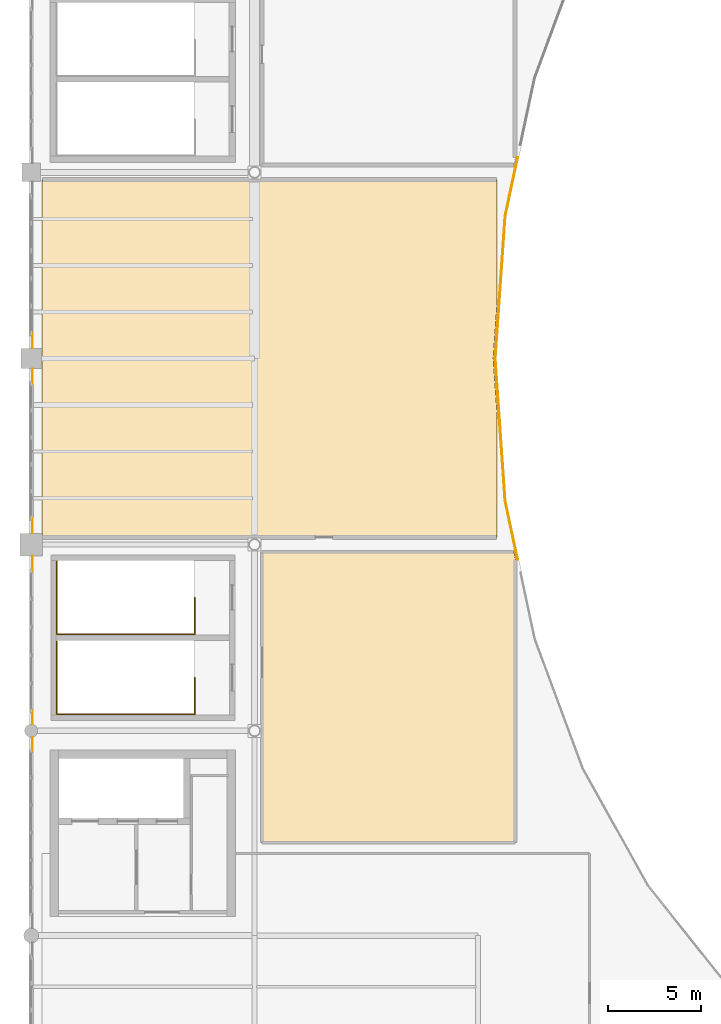
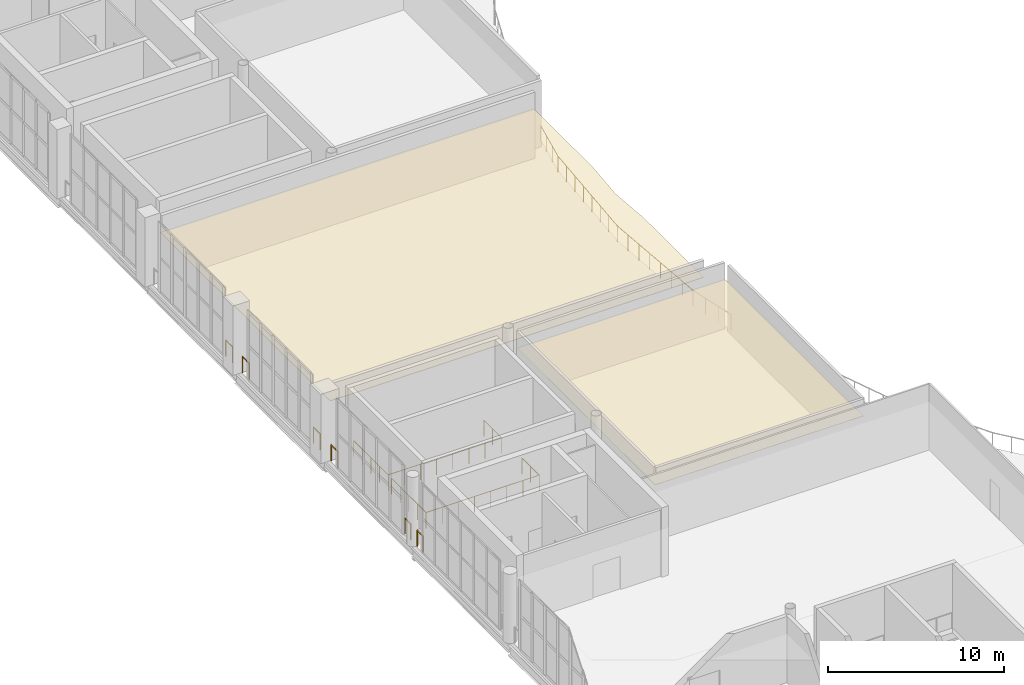
# One storey, part 44 of 49: 9 railings, 2 coverings.
"""IFC4 building model written with IfcOpenShell, lengths in metres."""

import ifcopenshell
import ifcopenshell.guid

model = None  # the IFC model being written
_history = None  # IfcOwnerHistory: only IFC2X3 demands one
_inside = {}  # id of a spatial element -> (the spatial element, [elements in it])
_under = {}  # id of a project, library or spatial element -> (it, [spatial elements below it])
_declared = {}  # id of a project -> (the project, [libraries it declares])
_typed = {}  # id of a type object -> (the type object, [elements of that type])
_made_of = {}  # id of a material, layer set ... -> (it, [elements and type objects made of it])


def new_model(schema):
    """Start an empty IFC model of exactly this schema.

    Asked for "IFC4X3", IfcOpenShell would pick the latest addendum, in which some entities
    have other attributes; the version numbers below select the first issue.
    IFC2X3 requires an IfcOwnerHistory on every rooted entity: one is made here for all.
    """
    global model, _history
    if schema == "IFC4X3":
        model = ifcopenshell.file(schema_version=(4, 3, 0, 0))
    else:
        model = ifcopenshell.file(schema=schema)
    _inside.clear()
    _under.clear()
    _declared.clear()
    _typed.clear()
    _made_of.clear()
    _history = None
    if model.schema == "IFC2X3":
        org = make("IfcOrganization", Name="unknown")
        user = make(
            "IfcPersonAndOrganization",
            ThePerson=make("IfcPerson", FamilyName="unknown"),
            TheOrganization=org,
        )
        app = make(
            "IfcApplication",
            ApplicationDeveloper=org,
            Version="unknown",
            ApplicationFullName="unknown",
            ApplicationIdentifier="unknown",
        )
        _history = make(
            "IfcOwnerHistory",
            OwningUser=user,
            OwningApplication=app,
            ChangeAction="ADDED",
            CreationDate=0,
        )
    return model


def make(cls, **values):
    """One entity of the class cls with the attributes given. An attribute that is None is left unset."""
    return model.create_entity(
        cls, **{name: value for name, value in values.items() if value is not None}
    )


def rooted(cls, **values):
    """An entity with a GlobalId (a new one), such as an element, a storey or a relation."""
    return make(cls, GlobalId=ifcopenshell.guid.new(), OwnerHistory=_history, **values)


def si_unit(unit_type, name, prefix=None):
    """IfcSIUnit, for example si_unit("LENGTHUNIT", "METRE", prefix="MILLI")."""
    return make("IfcSIUnit", UnitType=unit_type, Prefix=prefix, Name=name)


def assignment(units):
    """IfcUnitAssignment: the units of a project."""
    return None if units is None else make("IfcUnitAssignment", Units=units)


def point(xyz):
    """IfcCartesianPoint."""
    return None if xyz is None else make("IfcCartesianPoint", Coordinates=xyz)


def direction(xyz):
    """IfcDirection."""
    return None if xyz is None else make("IfcDirection", DirectionRatios=xyz)


def frame(location, z_axis=None, x_axis=None):
    """IfcAxis2Placement3D, a coordinate frame: its origin and axes. An axis left out is left unset."""
    return make(
        "IfcAxis2Placement3D",
        Location=point(location),
        Axis=direction(z_axis),
        RefDirection=direction(x_axis),
    )


def frame_2d(location, x_axis=None):
    """IfcAxis2Placement2D, a coordinate frame in the plane: its origin and x axis."""
    return make(
        "IfcAxis2Placement2D", Location=point(location), RefDirection=direction(x_axis)
    )


def origin():
    """The frame at (0, 0, 0) with its axes left unset."""
    return frame((0.0, 0.0, 0.0))


def origin_2d():
    """The frame at (0, 0) in the plane with its x axis left unset."""
    return frame_2d((0.0, 0.0))


def place(relative_to, where):
    """IfcLocalPlacement: puts the frame where relative to a parent placement (None: the world)."""
    return make(
        "IfcLocalPlacement", PlacementRelTo=relative_to, RelativePlacement=where
    )


def context(
    kind, dimensions, precision=None, world=None, true_north=None, identifier=None
):
    """IfcGeometricRepresentationContext, for example the 3D "Model" context."""
    return make(
        "IfcGeometricRepresentationContext",
        ContextIdentifier=identifier,
        ContextType=kind,
        CoordinateSpaceDimension=dimensions,
        Precision=precision,
        WorldCoordinateSystem=world,
        TrueNorth=true_north,
    )


def subcontext(parent, identifier, kind, view, scale=None):
    """IfcGeometricRepresentationSubContext, for example "Body" below "Model"."""
    return make(
        "IfcGeometricRepresentationSubContext",
        ContextIdentifier=identifier,
        ContextType=kind,
        ParentContext=parent,
        TargetScale=scale,
        TargetView=view,
    )


def project(units=None, contexts=None):
    """IfcProject with its units and contexts."""
    return rooted(
        "IfcProject",
        Name="project",
        RepresentationContexts=contexts,
        UnitsInContext=assignment(units),
    )


def spatial(cls, under=None, at=None, **own):
    """A site, building, storey or space (cls), placed at a placement, below another one or the project."""
    s = rooted(cls, ObjectPlacement=at, **own)
    if under is not None:
        _under.setdefault(under.id(), (under, []))[1].append(s)
    return s


def polyline(points):
    """IfcPolyline through the points."""
    return make("IfcPolyline", Points=[point(p) for p in points])


def profile(cls, at=None, kind="AREA", **sizes):
    """A parametric profile (cls). Its sizes go by their IFC names, for example OverallWidth=200.0."""
    return make(cls, ProfileType=kind, Position=at, **sizes)


def circle(**sizes):
    """IfcCircleProfileDef."""
    return profile("IfcCircleProfileDef", **sizes)


def outline(outer, holes=None, kind="AREA"):
    """IfcArbitraryClosedProfileDef: a profile drawn as a closed curve; with holes, ...WithVoids."""
    if holes is None:
        return make("IfcArbitraryClosedProfileDef", ProfileType=kind, OuterCurve=outer)
    return make(
        "IfcArbitraryProfileDefWithVoids",
        ProfileType=kind,
        OuterCurve=outer,
        InnerCurves=holes,
    )


def extrude(swept, where, along, depth):
    """IfcExtrudedAreaSolid: the profile swept, set in the frame where, extruded along a direction by depth."""
    return make(
        "IfcExtrudedAreaSolid",
        SweptArea=swept,
        Position=where,
        ExtrudedDirection=direction(along),
        Depth=depth,
    )


def shape(context_of_items, identifier, shape_type, items):
    """IfcShapeRepresentation: the items that make up one representation, for example the "Body"."""
    return make(
        "IfcShapeRepresentation",
        ContextOfItems=context_of_items,
        RepresentationIdentifier=identifier,
        RepresentationType=shape_type,
        Items=items,
    )


def material(Name=None, Category=None):
    """IfcMaterial."""
    return make("IfcMaterial", Name=Name, Category=Category)


def layer(
    of_material, thickness, ventilated=None, Name=None, Category=None, Priority=None
):
    """IfcMaterialLayer: one layer of a wall or slab, of a material (None: an air gap)."""
    return make(
        "IfcMaterialLayer",
        Material=of_material,
        LayerThickness=thickness,
        IsVentilated=ventilated,
        Name=Name,
        Category=Category,
        Priority=Priority,
    )


def layer_set(layers, Name=None):
    """IfcMaterialLayerSet."""
    return make("IfcMaterialLayerSet", MaterialLayers=layers, LayerSetName=Name)


def made_of(thing, what):
    """Note that an element or type object is made of a material, layer set ...; save() writes the relation."""
    if what is not None:
        _made_of.setdefault(what.id(), (what, []))[1].append(thing)
    return thing


def type_object(cls, material=None, **own):
    """A type object (cls), such as IfcWallType, which elements share."""
    return made_of(rooted(cls, **own), material)


def element(
    cls,
    number,
    at=None,
    inside=None,
    cuts=None,
    type_object=None,
    material=None,
    context=None,
    identifier="Body",
    shape_type=None,
    held_by="IfcProductDefinitionShape",
    body=None,
    shapes=None,
    **own,
):
    """One element of the class cls, such as IfcWall. Its Tag is "e" and its number.

    at: its placement. inside: the storey or other place that contains it. cuts: it is an
    opening in that element (IfcRelVoidsElement). A single representation is given by context,
    identifier, shape_type and body (its items); several are given by shapes. held_by: the class
    of the entity that holds the representations. save() writes the other relations.
    """
    e = rooted(cls, Tag="e%d" % number, ObjectPlacement=at, **own)
    if body is not None:
        shapes = [shape(context, identifier, shape_type, body)]
    if shapes is not None:
        e.Representation = make(held_by, Representations=shapes)
    if inside is not None:
        _inside.setdefault(inside.id(), (inside, []))[1].append(e)
    if cuts is not None:
        rooted(
            "IfcRelVoidsElement", RelatingBuildingElement=cuts, RelatedOpeningElement=e
        )
    if type_object is not None:
        _typed.setdefault(type_object.id(), (type_object, []))[1].append(e)
    return made_of(e, material)


def aggregate(whole, parts):
    """IfcRelAggregates: a whole, such as a stair, and the parts it consists of."""
    return rooted("IfcRelAggregates", RelatingObject=whole, RelatedObjects=parts)


def save(model, path):
    """Write the relations noted so far, then the file.

    IfcRelAggregates (storeys below a building ...), IfcRelContainedInSpatialStructure (elements
    in a storey), IfcRelDefinesByType, IfcRelAssociatesMaterial and IfcRelDeclares: one each for
    every whole, place, type object, material and project.
    """
    for whole, parts in _under.values():
        aggregate(whole, parts)
    for where, things in _inside.values():
        rooted(
            "IfcRelContainedInSpatialStructure",
            RelatedElements=things,
            RelatingStructure=where,
        )
    for kind, things in _typed.values():
        rooted("IfcRelDefinesByType", RelatedObjects=things, RelatingType=kind)
    for what, things in _made_of.values():
        rooted("IfcRelAssociatesMaterial", RelatedObjects=things, RelatingMaterial=what)
    for by, libraries in _declared.values():
        rooted("IfcRelDeclares", RelatingContext=by, RelatedDefinitions=libraries)
    model.write(path)


model = new_model("IFC4")

# Units and contexts
model_context = context("Model", 3, precision=1e-05, world=origin(), true_north=direction((0.0, 1.0)))
body_context = subcontext(model_context, "Body", "Model", "MODEL_VIEW")
ifc_project = project(units=[si_unit("LENGTHUNIT", "METRE"), si_unit("AREAUNIT", "SQUARE_METRE"), si_unit("VOLUMEUNIT", "CUBIC_METRE"), si_unit("PLANEANGLEUNIT", "RADIAN"), si_unit("MASSUNIT", "GRAM", prefix="KILO")], contexts=[model_context])

# Site, building, storey
site_placement = place(None, origin())
site = spatial("IfcSite", under=ifc_project, at=site_placement, CompositionType="ELEMENT")
building_placement = place(site_placement, origin())
building = spatial("IfcBuilding", under=site, at=building_placement, Name="Brinegate Civic Arena", CompositionType="ELEMENT")
storey_placement = place(building_placement, frame((0.0, 0.0, 24.60009765625)))
storey = spatial("IfcBuildingStorey", under=building, at=storey_placement, Name="L05", CompositionType="ELEMENT", Elevation=24.60009765625)

# Coverings
ifc_material_1 = material(Name="Acoustic perforated aluminium ceiling", Category="aluminium")
ifc_layer_1 = layer(ifc_material_1, 0.034912109375, Name="Acoustic perforated aluminium ceiling")
ifc_layer_set_1 = layer_set([ifc_layer_1], Name="Acoustic perforated aluminium ceiling")
covering_type_1 = type_object("IfcCoveringType", Name="CEILING-ACOUSTIC-35", PredefinedType="CEILING", material=ifc_layer_set_1)
covering_1_placement = place(storey_placement, frame((0.0, 0.0, 3.31494140625)))
element("IfcCovering", 1, at=covering_1_placement, inside=storey, type_object=covering_type_1, Name="Acoustic Ceiling L05-001", PredefinedType="CEILING", context=body_context, shape_type="SweptSolid", body=[
    extrude(outline(polyline([(48.580078125, 71.60009765625), (48.580078125, 71.60205078125), (48.580078125, 71.60400390625), (48.5810546875, 71.60595703125), (48.58203125, 71.60791015625), (48.58203125, 71.60888671875), (48.5830078125, 71.611083984375), (48.5849609375, 71.613037109375), (48.5859375, 71.614013671875), (48.5869140625, 71.614990234375), (48.589111328125, 71.616943359375), (48.591064453125, 71.617919921875), (48.592041015625, 71.617919921875), (48.593994140625, 71.618896484375), (48.595947265625, 71.6201171875), (48.597900390625, 71.6201171875), (48.60009765625, 71.6201171875), (73.0, 71.6201171875), (73.001953125, 71.6201171875), (73.00390625, 71.6201171875), (73.006103515625, 71.618896484375), (73.008056640625, 71.617919921875), (73.009033203125, 71.617919921875), (73.010986328125, 71.616943359375), (73.012939453125, 71.614990234375), (73.013916015625, 71.614013671875), (73.014892578125, 71.613037109375), (73.01708984375, 71.611083984375), (73.01806640625, 71.60888671875), (73.01806640625, 71.60791015625), (73.01904296875, 71.60595703125), (73.02001953125, 71.60400390625), (73.02001953125, 71.60205078125), (73.02001953125, 71.60009765625), (73.02001953125, 64.8798828125), (73.02001953125, 64.87890625), (72.820068359375, 62.013916015625), (73.02001953125, 59.12109375), (73.02001953125, 59.1201171875), (73.02001953125, 52.39990234375), (73.02001953125, 52.39794921875), (73.02001953125, 52.39599609375), (73.01904296875, 52.39404296875), (73.01806640625, 52.39208984375), (73.01806640625, 52.39111328125), (73.01708984375, 52.388916015625), (73.014892578125, 52.386962890625), (73.013916015625, 52.385986328125), (73.012939453125, 52.385009765625), (73.010986328125, 52.383056640625), (73.009033203125, 52.382080078125), (73.008056640625, 52.382080078125), (73.006103515625, 52.381103515625), (73.00390625, 52.3798828125), (73.001953125, 52.3798828125), (73.0, 52.3798828125), (48.610107421875, 52.3798828125), (48.610107421875, 52.610107421875), (48.580078125, 52.610107421875), (48.580078125, 71.60009765625)])), origin(), (0.0, 0.0, 1.0), 0.034912109375),
])
ifc_layer_2 = layer(ifc_material_1, 0.01806640625, Name="Acoustic perforated aluminium ceiling")
ifc_layer_set_2 = layer_set([ifc_layer_2], Name="Acoustic perforated aluminium ceiling")
covering_type_2 = type_object("IfcCoveringType", Name="CEILING-MOISTURE-18", PredefinedType="CEILING", material=ifc_layer_set_2)
covering_2_placement = place(storey_placement, frame((0.0, 0.0, 3.331787109375)))
element("IfcCovering", 2, at=covering_2_placement, inside=storey, type_object=covering_type_2, Name="Acoustic Ceiling L05-003", PredefinedType="CEILING", context=body_context, shape_type="SweptSolid", body=[
    extrude(outline(polyline([(60.39599609375, 35.97998046875), (60.39404296875, 35.98095703125), (60.39208984375, 35.98193359375), (60.39111328125, 35.98193359375), (60.388916015625, 35.98291015625), (60.386962890625, 35.985107421875), (60.385986328125, 35.986083984375), (60.385009765625, 35.987060546875), (60.383056640625, 35.989013671875), (60.382080078125, 35.990966796875), (60.382080078125, 35.991943359375), (60.381103515625, 35.993896484375), (60.3798828125, 35.99609375), (60.3798828125, 35.998046875), (60.3798828125, 36.0), (60.3798828125, 51.60009765625), (60.3798828125, 51.60205078125), (60.3798828125, 51.60400390625), (60.381103515625, 51.60595703125), (60.382080078125, 51.60791015625), (60.382080078125, 51.60888671875), (60.383056640625, 51.611083984375), (60.385009765625, 51.613037109375), (60.385986328125, 51.614013671875), (60.386962890625, 51.614990234375), (60.388916015625, 51.616943359375), (60.39111328125, 51.617919921875), (60.39208984375, 51.617919921875), (60.39404296875, 51.618896484375), (60.39599609375, 51.6201171875), (60.39794921875, 51.6201171875), (60.39990234375, 51.6201171875), (73.916015625, 51.6201171875), (73.91796875, 51.6201171875), (73.919921875, 51.6201171875), (73.922119140625, 51.618896484375), (73.924072265625, 51.618896484375), (73.925048828125, 51.617919921875), (73.927001953125, 51.616943359375), (73.928955078125, 51.615966796875), (73.929931640625, 51.614013671875), (73.930908203125, 51.613037109375), (73.93310546875, 51.611083984375), (73.93408203125, 51.610107421875), (73.93408203125, 51.60791015625), (73.93505859375, 51.60595703125), (73.93603515625, 51.60400390625), (74.02001953125, 51.2080078125), (74.02001953125, 51.2060546875), (74.02001953125, 51.2041015625), (74.02001953125, 36.0), (74.02001953125, 35.998046875), (74.02001953125, 35.99609375), (74.01904296875, 35.993896484375), (74.01806640625, 35.991943359375), (74.01806640625, 35.990966796875), (74.01708984375, 35.989013671875), (74.014892578125, 35.987060546875), (74.013916015625, 35.986083984375), (74.012939453125, 35.985107421875), (74.010986328125, 35.98291015625), (74.009033203125, 35.98193359375), (74.008056640625, 35.98193359375), (74.006103515625, 35.98095703125), (74.00390625, 35.97998046875), (74.001953125, 35.97998046875), (74.0, 35.97998046875), (60.39990234375, 35.97998046875), (60.39794921875, 35.97998046875), (60.39599609375, 35.97998046875)])), origin(), (0.0, 0.0, 1.0), 0.01806640625),
])

# Railings
ifc_material_2 = material(Name="Architectural stainless steel balustrade", Category="steel")
railing_type_1 = type_object("IfcRailingType", Name="RAIL-STAIR-GUARD-1100", PredefinedType="GUARDRAIL", material=ifc_material_2)
railing_1_placement = place(storey_placement, frame((56.780029296875, 44.85009765625, 0.0)))
element("IfcRailing", 3, at=railing_1_placement, inside=storey, type_object=railing_type_1, Name="Top Stairwell Edge Guard ST-08A L05", PredefinedType="GUARDRAIL", context=body_context, shape_type="SweptSolid", body=[
    extrude(circle(Radius=0.02392578125, at=origin_2d()), frame((0.0, -0.00146484375, 1.09619140625), z_axis=(0.0, -1.0, 0.0), x_axis=(1.0, 0.0, 0.0)), (0.0, 0.0, 1.0), 1.9521484375),
    extrude(circle(Radius=0.02392578125, at=origin_2d()), frame((-0.00146484375, -1.955078125, 1.09619140625), z_axis=(-1.0, 0.0, 0.0), x_axis=(0.0, -1.0, 0.0)), (0.0, 0.0, 1.0), 7.397216796875),
    extrude(circle(Radius=0.02392578125, at=origin_2d()), frame((-7.400146484375, -1.95361328125, 1.09619140625), z_axis=(0.0, 1.0, 0.0), x_axis=(-1.0, 0.0, 0.0)), (0.0, 0.0, 1.0), 3.906982421875),
    extrude(circle(Radius=0.02099609375, at=origin_2d()), origin(), (0.0, 0.0, 1.0), 1.070068359375),
    extrude(circle(Radius=0.02099609375, at=origin_2d()), frame((0.0, -0.9775390625, 0.0)), (0.0, 0.0, 1.0), 1.070068359375),
    extrude(circle(Radius=0.02099609375, at=origin_2d()), frame((0.0, -1.955078125, 0.0)), (0.0, 0.0, 1.0), 1.070068359375),
    extrude(circle(Radius=0.02099609375, at=origin_2d()), frame((-1.05712890625, -1.955078125, 0.0)), (0.0, 0.0, 1.0), 1.070068359375),
    extrude(circle(Radius=0.02099609375, at=origin_2d()), frame((-2.1142578125, -1.955078125, 0.0)), (0.0, 0.0, 1.0), 1.070068359375),
    extrude(circle(Radius=0.02099609375, at=origin_2d()), frame((-3.17138671875, -1.955078125, 0.0)), (0.0, 0.0, 1.0), 1.070068359375),
    extrude(circle(Radius=0.02099609375, at=origin_2d()), frame((-4.228759765625, -1.955078125, 0.0)), (0.0, 0.0, 1.0), 1.070068359375),
    extrude(circle(Radius=0.02099609375, at=origin_2d()), frame((-5.285888671875, -1.955078125, 0.0)), (0.0, 0.0, 1.0), 1.070068359375),
    extrude(circle(Radius=0.02099609375, at=origin_2d()), frame((-6.343017578125, -1.955078125, 0.0)), (0.0, 0.0, 1.0), 1.070068359375),
    extrude(circle(Radius=0.02099609375, at=origin_2d()), frame((-7.400146484375, -1.955078125, 0.0)), (0.0, 0.0, 1.0), 1.070068359375),
    extrude(circle(Radius=0.02099609375, at=origin_2d()), frame((-7.400146484375, -0.9775390625, 0.0)), (0.0, 0.0, 1.0), 1.070068359375),
    extrude(circle(Radius=0.02099609375, at=origin_2d()), frame((-7.400146484375, 0.0, 0.0)), (0.0, 0.0, 1.0), 1.070068359375),
    extrude(circle(Radius=0.02099609375, at=origin_2d()), frame((-7.400146484375, 0.977294921875, 0.0)), (0.0, 0.0, 1.0), 1.070068359375),
    extrude(circle(Radius=0.02099609375, at=origin_2d()), frame((-7.400146484375, 1.954833984375, 0.0)), (0.0, 0.0, 1.0), 1.070068359375),
])
railing_2_placement = place(storey_placement, frame((56.780029296875, 49.14990234375, 0.0)))
element("IfcRailing", 4, at=railing_2_placement, inside=storey, type_object=railing_type_1, Name="Top Stairwell Edge Guard ST-08B L05", PredefinedType="GUARDRAIL", context=body_context, shape_type="SweptSolid", body=[
    extrude(circle(Radius=0.02392578125, at=origin_2d()), frame((0.0, -0.00146484375, 1.09619140625), z_axis=(0.0, -1.0, 0.0), x_axis=(1.0, 0.0, 0.0)), (0.0, 0.0, 1.0), 1.951904296875),
    extrude(circle(Radius=0.02392578125, at=origin_2d()), frame((-0.00146484375, -1.954833984375, 1.09619140625), z_axis=(-1.0, 0.0, 0.0), x_axis=(0.0, -1.0, 0.0)), (0.0, 0.0, 1.0), 7.397216796875),
    extrude(circle(Radius=0.02392578125, at=origin_2d()), frame((-7.400146484375, -1.953369140625, 1.09619140625), z_axis=(0.0, 1.0, 0.0), x_axis=(-1.0, 0.0, 0.0)), (0.0, 0.0, 1.0), 3.906982421875),
    extrude(circle(Radius=0.02099609375, at=origin_2d()), origin(), (0.0, 0.0, 1.0), 1.070068359375),
    extrude(circle(Radius=0.02099609375, at=origin_2d()), frame((0.0, -0.9775390625, 0.0)), (0.0, 0.0, 1.0), 1.070068359375),
    extrude(circle(Radius=0.02099609375, at=origin_2d()), frame((0.0, -1.954833984375, 0.0)), (0.0, 0.0, 1.0), 1.070068359375),
    extrude(circle(Radius=0.02099609375, at=origin_2d()), frame((-1.05712890625, -1.954833984375, 0.0)), (0.0, 0.0, 1.0), 1.070068359375),
    extrude(circle(Radius=0.02099609375, at=origin_2d()), frame((-2.1142578125, -1.954833984375, 0.0)), (0.0, 0.0, 1.0), 1.070068359375),
    extrude(circle(Radius=0.02099609375, at=origin_2d()), frame((-3.17138671875, -1.954833984375, 0.0)), (0.0, 0.0, 1.0), 1.070068359375),
    extrude(circle(Radius=0.02099609375, at=origin_2d()), frame((-4.228759765625, -1.954833984375, 0.0)), (0.0, 0.0, 1.0), 1.070068359375),
    extrude(circle(Radius=0.02099609375, at=origin_2d()), frame((-5.285888671875, -1.954833984375, 0.0)), (0.0, 0.0, 1.0), 1.070068359375),
    extrude(circle(Radius=0.02099609375, at=origin_2d()), frame((-6.343017578125, -1.954833984375, 0.0)), (0.0, 0.0, 1.0), 1.070068359375),
    extrude(circle(Radius=0.02099609375, at=origin_2d()), frame((-7.400146484375, -1.954833984375, 0.0)), (0.0, 0.0, 1.0), 1.070068359375),
    extrude(circle(Radius=0.02099609375, at=origin_2d()), frame((-7.400146484375, -0.977294921875, 0.0)), (0.0, 0.0, 1.0), 1.070068359375),
    extrude(circle(Radius=0.02099609375, at=origin_2d()), frame((-7.400146484375, 0.0, 0.0)), (0.0, 0.0, 1.0), 1.070068359375),
    extrude(circle(Radius=0.02099609375, at=origin_2d()), frame((-7.400146484375, 0.9775390625, 0.0)), (0.0, 0.0, 1.0), 1.070068359375),
    extrude(circle(Radius=0.02099609375, at=origin_2d()), frame((-7.400146484375, 1.955078125, 0.0)), (0.0, 0.0, 1.0), 1.070068359375),
])
railing_type_2 = type_object("IfcRailingType", Name="RAIL-VOID-BALUSTRADE-1120", PredefinedType="BALUSTRADE", material=ifc_material_2)
for number, where, name in (
    (5, (48.070068359375, 40.955078125, 0.0), "Deck Edge Balustrade L05-398"),
    (6, (48.070068359375, 42.3701171875, 0.0), "Deck Edge Balustrade L05-399"),
):
    element("IfcRailing", number, at=place(storey_placement, frame(where)), inside=storey, type_object=railing_type_2, Name=name, PredefinedType="BALUSTRADE", context=body_context, shape_type="SweptSolid", body=[
        extrude(circle(Radius=0.02392578125, at=origin_2d()), frame((0.0, 0.00146484375, 1.09619140625), z_axis=(0.0, 1.0, 0.0), x_axis=(-1.0, 0.0, 0.0)), (0.0, 0.0, 1.0), 0.671875),
        extrude(circle(Radius=0.02099609375, at=origin_2d()), origin(), (0.0, 0.0, 1.0), 1.070068359375),
        extrude(circle(Radius=0.02099609375, at=origin_2d()), frame((0.0, 0.6748046875, 0.0)), (0.0, 0.0, 1.0), 1.070068359375),
    ])
for number, where, name in (
    (7, (48.070068359375, 50.60107421875, 0.0), "Deck Edge Balustrade L05-400"),
    (8, (48.070068359375, 52.6201171875, 0.0), "Deck Edge Balustrade L05-401"),
):
    element("IfcRailing", number, at=place(storey_placement, frame(where)), inside=storey, type_object=railing_type_2, Name=name, PredefinedType="BALUSTRADE", context=body_context, shape_type="SweptSolid", body=[
        extrude(circle(Radius=0.02392578125, at=origin_2d()), frame((0.0, 0.00146484375, 1.09619140625), z_axis=(0.0, 1.0, 0.0), x_axis=(-1.0, 0.0, 0.0)), (0.0, 0.0, 1.0), 0.77587890625),
        extrude(circle(Radius=0.02099609375, at=origin_2d()), origin(), (0.0, 0.0, 1.0), 1.070068359375),
        extrude(circle(Radius=0.02099609375, at=origin_2d()), frame((0.0, 0.77880859375, 0.0)), (0.0, 0.0, 1.0), 1.070068359375),
    ])
for number, where, name in (
    (9, (48.070068359375, 60.672119140625, 0.0), "Deck Edge Balustrade L05-402"),
    (10, (48.070068359375, 62.570068359375, 0.0), "Deck Edge Balustrade L05-403"),
):
    element("IfcRailing", number, at=place(storey_placement, frame(where)), inside=storey, type_object=railing_type_2, Name=name, PredefinedType="BALUSTRADE", context=body_context, shape_type="SweptSolid", body=[
        extrude(circle(Radius=0.02392578125, at=origin_2d()), frame((0.0, 0.00146484375, 1.09619140625), z_axis=(0.0, 1.0, 0.0), x_axis=(-1.0, 0.0, 0.0)), (0.0, 0.0, 1.0), 0.7548828125),
        extrude(circle(Radius=0.02099609375, at=origin_2d()), origin(), (0.0, 0.0, 1.0), 1.070068359375),
        extrude(circle(Radius=0.02099609375, at=origin_2d()), frame((0.0, 0.7578125, 0.0)), (0.0, 0.0, 1.0), 1.070068359375),
    ])
railing_3_placement = place(storey_placement, frame((74.133056640625, 72.7958984375, 0.0)))
element("IfcRailing", 11, at=railing_3_placement, inside=storey, type_object=railing_type_2, Name="Deck Edge Balustrade L05-431", PredefinedType="BALUSTRADE", context=body_context, shape_type="SweptSolid", body=[
    extrude(circle(Radius=0.02392578125, at=origin_2d()), frame((-0.000244140625, -0.00146484375, 1.09619140625), z_axis=(-0.208370790416, -0.978049903482, 0.0), x_axis=(0.978049903482, -0.208370790416, 0.0)), (0.0, 0.0, 1.0), 3.207275390625),
    extrude(circle(Radius=0.02392578125, at=origin_2d()), frame((-0.6689453125, -3.141357421875, 1.09619140625), z_axis=(-0.069647620646, -0.997571656042, 0.0), x_axis=(0.997571656042, -0.069647620646, 0.0)), (0.0, 0.0, 1.0), 7.666748046875),
    extrude(circle(Radius=0.02392578125, at=origin_2d()), frame((-1.203125, -10.79248046875, 1.09619140625), z_axis=(0.069364719792, -0.997591367068, 0.0), x_axis=(0.997591367068, 0.069364719792, 0.0)), (0.0, 0.0, 1.0), 7.666259765625),
    extrude(circle(Radius=0.02392578125, at=origin_2d()), frame((-0.6708984375, -18.443359375, 1.09619140625), z_axis=(0.208390011397, -0.978045808309, 0.0), x_axis=(0.978045808309, 0.208390011397, 0.0)), (0.0, 0.0, 1.0), 3.217529296875),
    extrude(circle(Radius=0.02099609375, at=origin_2d()), origin(), (0.0, 0.0, 1.0), 1.070068359375),
    extrude(circle(Radius=0.02099609375, at=origin_2d()), frame((-0.222900390625, -1.046630859375, 0.0)), (0.0, 0.0, 1.0), 1.070068359375),
    extrude(circle(Radius=0.02099609375, at=origin_2d()), frame((-0.446044921875, -2.09326171875, 0.0)), (0.0, 0.0, 1.0), 1.070068359375),
    extrude(circle(Radius=0.02099609375, at=origin_2d()), frame((-0.6689453125, -3.139892578125, 0.0)), (0.0, 0.0, 1.0), 1.070068359375),
    extrude(circle(Radius=0.02099609375, at=origin_2d()), frame((-0.745361328125, -4.23291015625, 0.0)), (0.0, 0.0, 1.0), 1.070068359375),
    extrude(circle(Radius=0.02099609375, at=origin_2d()), frame((-0.821533203125, -5.325927734375, 0.0)), (0.0, 0.0, 1.0), 1.070068359375),
    extrude(circle(Radius=0.02099609375, at=origin_2d()), frame((-0.89794921875, -6.4189453125, 0.0)), (0.0, 0.0, 1.0), 1.070068359375),
    extrude(circle(Radius=0.02099609375, at=origin_2d()), frame((-0.97412109375, -7.511962890625, 0.0)), (0.0, 0.0, 1.0), 1.070068359375),
    extrude(circle(Radius=0.02099609375, at=origin_2d()), frame((-1.050537109375, -8.60498046875, 0.0)), (0.0, 0.0, 1.0), 1.070068359375),
    extrude(circle(Radius=0.02099609375, at=origin_2d()), frame((-1.126708984375, -9.697998046875, 0.0)), (0.0, 0.0, 1.0), 1.070068359375),
    extrude(circle(Radius=0.02099609375, at=origin_2d()), frame((-1.203125, -10.791015625, 0.0)), (0.0, 0.0, 1.0), 1.070068359375),
    extrude(circle(Radius=0.02099609375, at=origin_2d()), frame((-1.127197265625, -11.884033203125, 0.0)), (0.0, 0.0, 1.0), 1.070068359375),
    extrude(circle(Radius=0.02099609375, at=origin_2d()), frame((-1.051025390625, -12.97705078125, 0.0)), (0.0, 0.0, 1.0), 1.070068359375),
    extrude(circle(Radius=0.02099609375, at=origin_2d()), frame((-0.97509765625, -14.070068359375, 0.0)), (0.0, 0.0, 1.0), 1.070068359375),
    extrude(circle(Radius=0.02099609375, at=origin_2d()), frame((-0.899169921875, -15.162841796875, 0.0)), (0.0, 0.0, 1.0), 1.070068359375),
    extrude(circle(Radius=0.02099609375, at=origin_2d()), frame((-0.8232421875, -16.255859375, 0.0)), (0.0, 0.0, 1.0), 1.070068359375),
    extrude(circle(Radius=0.02099609375, at=origin_2d()), frame((-0.7470703125, -17.348876953125, 0.0)), (0.0, 0.0, 1.0), 1.070068359375),
    extrude(circle(Radius=0.02099609375, at=origin_2d()), frame((-0.671142578125, -18.44189453125, 0.0)), (0.0, 0.0, 1.0), 1.070068359375),
    extrude(circle(Radius=0.02099609375, at=origin_2d()), frame((-0.447509765625, -19.491943359375, 0.0)), (0.0, 0.0, 1.0), 1.070068359375),
    extrude(circle(Radius=0.02099609375, at=origin_2d()), frame((-0.2236328125, -20.541748046875, 0.0)), (0.0, 0.0, 1.0), 1.070068359375),
    extrude(circle(Radius=0.02099609375, at=origin_2d()), frame((0.0, -21.591796875, 0.0)), (0.0, 0.0, 1.0), 1.070068359375),
])

save(model, "model.ifc")
